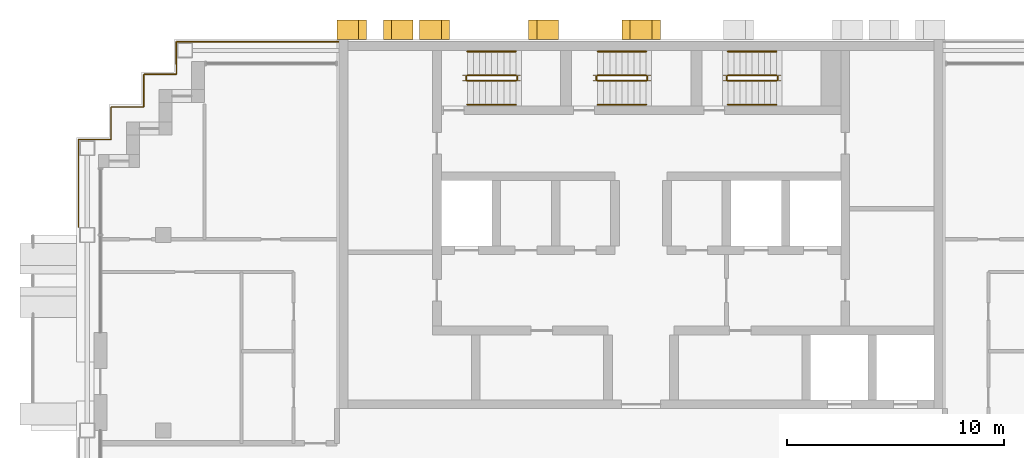
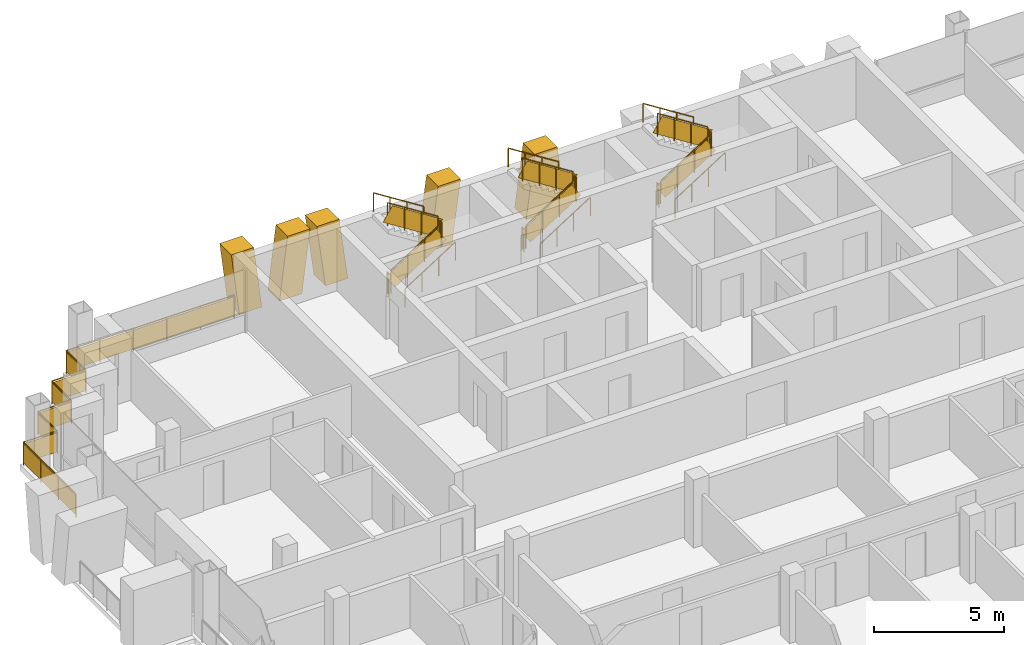
# One storey, part 15 of 16: 20 railings, 5 shading devices.
"""IFC4 building model written with IfcOpenShell, lengths in metres."""

from ifc_helpers import new_model, si_unit, direction, frame, origin, origin_2d, place, context, subcontext, project, spatial, polyline, rectangle, circle, outline, extrude, material, layer, layer_set, type_object, element, save


model = new_model("IFC4")

# Units and contexts
model_context = context("Model", 3, precision=1e-05, world=origin(), true_north=direction((0.0, 1.0)))
body_context = subcontext(model_context, "Body", "Model", "MODEL_VIEW")
ifc_project = project(units=[si_unit("LENGTHUNIT", "METRE"), si_unit("AREAUNIT", "SQUARE_METRE"), si_unit("VOLUMEUNIT", "CUBIC_METRE"), si_unit("PLANEANGLEUNIT", "RADIAN"), si_unit("MASSUNIT", "GRAM", prefix="KILO")], contexts=[model_context])

# Site, building, storey
site_placement = place(None, origin())
site = spatial("IfcSite", under=ifc_project, at=site_placement, CompositionType="ELEMENT")
building_placement = place(site_placement, origin())
building = spatial("IfcBuilding", under=site, at=building_placement, Name="Vidyagriha Tower", CompositionType="ELEMENT")
storey_placement = place(building_placement, frame((0.0, 0.0, 184.5)))
storey = spatial("IfcBuildingStorey", under=building, at=storey_placement, Name="L48", CompositionType="ELEMENT", Elevation=184.5)

# Shading devices
ifc_material_1 = material(Name="Precast concrete C40/50 with brick facing", Category="concrete")
ifc_layer_1 = layer(ifc_material_1, 1.0)
ifc_layer_set_1 = layer_set([ifc_layer_1], Name="Precast concrete C40/50 with brick facing")
shading_device_type_1 = type_object("IfcShadingDeviceType", Name="Brick-faced rear rib arm leaning 8 degrees", PredefinedType="USERDEFINED", material=ifc_layer_set_1)
shading_device_1_placement = place(storey_placement, frame((-8.814208984375, 20.449951171875, 0.0), z_axis=(0.0, 0.0, 1.0), x_axis=(-1.0, 0.0, 0.0)))
element("IfcShadingDevice", 1, at=shading_device_1_placement, inside=storey, type_object=shading_device_type_1, Name="Rear rib arm L48 R08.4a", ObjectType="BLADE FIN", PredefinedType="USERDEFINED", context=body_context, shape_type="SweptSolid", body=[
    extrude(outline(polyline([(0.0, 0.0), (1.0, 0.0), (1.3857421875, 2.919921875), (0.3857421875, 2.919921875), (0.0, 0.0)])), frame((0.0, 0.449951171875, 0.0), z_axis=(0.0, -1.0, 0.0), x_axis=(1.0, 0.0, 0.0)), (0.0, 0.0, 1.0), 0.89990234375),
])
shading_device_2_placement = place(storey_placement, frame((-3.800048828125, 20.449951171875, 0.0), z_axis=(0.0, 0.0, 1.0), x_axis=(-1.0, 0.0, 0.0)))
element("IfcShadingDevice", 2, at=shading_device_2_placement, inside=storey, type_object=shading_device_type_1, Name="Rear rib arm L48 R08.4b", ObjectType="BLADE FIN", PredefinedType="USERDEFINED", context=body_context, shape_type="SweptSolid", body=[
    extrude(outline(polyline([(0.3857421875, 0.0), (1.3857421875, 0.0), (1.0, 2.919921875), (0.0, 2.919921875), (0.3857421875, 0.0)])), frame((0.0, 0.449951171875, 0.0), z_axis=(0.0, -1.0, 0.0), x_axis=(1.0, 0.0, 0.0)), (0.0, 0.0, 1.0), 0.89990234375),
])
shading_device_3_placement = place(storey_placement, frame((-12.642822265625, 20.449951171875, 0.0), z_axis=(0.0, 0.0, 1.0), x_axis=(-1.0, 0.0, 0.0)))
element("IfcShadingDevice", 3, at=shading_device_3_placement, inside=storey, type_object=shading_device_type_1, Name="Rear rib arm L48 R08.5a", ObjectType="BLADE FIN", PredefinedType="USERDEFINED", context=body_context, shape_type="SweptSolid", body=[
    extrude(outline(polyline([(0.0, 0.0), (1.0, 0.0), (1.357177734375, 2.919921875), (0.357177734375, 2.919921875), (0.0, 0.0)])), frame((0.0, 0.449951171875, 0.0), z_axis=(0.0, -1.0, 0.0), x_axis=(1.0, 0.0, 0.0)), (0.0, 0.0, 1.0), 0.89990234375),
])
shading_device_4_placement = place(storey_placement, frame((-10.5, 20.449951171875, 0.0), z_axis=(0.0, 0.0, 1.0), x_axis=(-1.0, 0.0, 0.0)))
element("IfcShadingDevice", 4, at=shading_device_4_placement, inside=storey, type_object=shading_device_type_1, Name="Rear rib arm L48 R08.5b", ObjectType="BLADE FIN", PredefinedType="USERDEFINED", context=body_context, shape_type="SweptSolid", body=[
    extrude(outline(polyline([(0.357177734375, 0.0), (1.357177734375, 0.0), (1.0, 2.919921875), (0.0, 2.919921875), (0.357177734375, 0.0)])), frame((0.0, 0.449951171875, 0.0), z_axis=(0.0, -1.0, 0.0), x_axis=(1.0, 0.0, 0.0)), (0.0, 0.0, 1.0), 0.89990234375),
])
ifc_material_2 = material(Name="Precast concrete C40/50 with brick facing", Category="concrete")
ifc_layer_2 = layer(ifc_material_2, 1.0)
ifc_layer_set_2 = layer_set([ifc_layer_2], Name="Precast concrete C40/50 with brick facing")
shading_device_type_2 = type_object("IfcShadingDeviceType", Name="Brick-faced rear rib forking 8 degrees", PredefinedType="USERDEFINED", material=ifc_layer_set_2)
shading_device_5_placement = place(storey_placement, frame((0.8857421875, 20.449951171875, 0.0), z_axis=(0.0, 0.0, 1.0), x_axis=(-1.0, 0.0, 0.0)))
element("IfcShadingDevice", 5, at=shading_device_5_placement, inside=storey, type_object=shading_device_type_2, Name="Rear rib fork L48 R08.3a", ObjectType="BLADE FIN", PredefinedType="USERDEFINED", context=body_context, shape_type="SweptSolid", body=[
    extrude(outline(polyline([(0.0, 0.0), (1.771484375, 0.0), (1.3857421875, 2.919921875), (0.3857421875, 2.919921875), (0.0, 0.0)])), frame((0.0, 0.449951171875, 0.0), z_axis=(0.0, -1.0, 0.0), x_axis=(1.0, 0.0, 0.0)), (0.0, 0.0, 1.0), 0.89990234375),
])

# Railings
ifc_material_3 = material(Name="Steel ASTM A500 Grade C black painted", Category="steel")
railing_type_1 = type_object("IfcRailingType", Name="Gallery guard 1100", PredefinedType="GUARDRAIL", material=ifc_material_3)
railing_1_placement = place(storey_placement, frame((-25.89990234375, 11.360107421875, 0.0)))
element("IfcRailing", 6, at=railing_1_placement, inside=storey, type_object=railing_type_1, Name="Gallery guard L48 4", PredefinedType="GUARDRAIL", context=body_context, shape_type="SweptSolid", body=[
    extrude(circle(Radius=0.02490234375, at=origin_2d()), frame((0.0, 0.0, 1.0751953125), z_axis=(0.0, 1.0, 0.0), x_axis=(-1.0, 0.0, 0.0)), (0.0, 0.0, 1.0), 4.039794921875),
    extrude(circle(Radius=0.02490234375, at=origin_2d()), frame((0.0, 4.039794921875, 1.0751953125), z_axis=(1.0, 0.0, 0.0), x_axis=(0.0, 1.0, 0.0)), (0.0, 0.0, 1.0), 1.5),
    extrude(circle(Radius=0.02490234375, at=origin_2d()), frame((1.5, 4.039794921875, 1.0751953125), z_axis=(0.0, 1.0, 0.0), x_axis=(-1.0, 0.0, 0.0)), (0.0, 0.0, 1.0), 1.5),
    extrude(circle(Radius=0.02490234375, at=origin_2d()), frame((1.5, 5.539794921875, 1.0751953125), z_axis=(1.0, 0.0, 0.0), x_axis=(0.0, 1.0, 0.0)), (0.0, 0.0, 1.0), 1.5),
    extrude(circle(Radius=0.02490234375, at=origin_2d()), frame((3.0, 5.539794921875, 1.0751953125), z_axis=(0.0, 1.0, 0.0), x_axis=(-1.0, 0.0, 0.0)), (0.0, 0.0, 1.0), 1.5),
    extrude(circle(Radius=0.02490234375, at=origin_2d()), frame((3.0, 7.039794921875, 1.0751953125), z_axis=(1.0, 0.0, 0.0), x_axis=(0.0, 1.0, 0.0)), (0.0, 0.0, 1.0), 1.5),
    extrude(circle(Radius=0.02490234375, at=origin_2d()), frame((4.5, 7.039794921875, 1.0751953125), z_axis=(0.0, 1.0, 0.0), x_axis=(-1.0, 0.0, 0.0)), (0.0, 0.0, 1.0), 0.460205078125),
    extrude(circle(Radius=0.02001953125, at=origin_2d()), origin(), (0.0, 0.0, 1.0), 1.050048828125),
    extrude(circle(Radius=0.02001953125, at=origin_2d()), frame((0.0, 1.3466796875, 0.0)), (0.0, 0.0, 1.0), 1.050048828125),
    extrude(circle(Radius=0.02001953125, at=origin_2d()), frame((0.0, 2.693115234375, 0.0)), (0.0, 0.0, 1.0), 1.050048828125),
    extrude(circle(Radius=0.02001953125, at=origin_2d()), frame((0.0, 4.039794921875, 0.0)), (0.0, 0.0, 1.0), 1.050048828125),
    extrude(circle(Radius=0.02001953125, at=origin_2d()), frame((1.5, 4.039794921875, 0.0)), (0.0, 0.0, 1.0), 1.050048828125),
    extrude(circle(Radius=0.02001953125, at=origin_2d()), frame((1.5, 5.539794921875, 0.0)), (0.0, 0.0, 1.0), 1.050048828125),
    extrude(circle(Radius=0.02001953125, at=origin_2d()), frame((3.0, 5.539794921875, 0.0)), (0.0, 0.0, 1.0), 1.050048828125),
    extrude(circle(Radius=0.02001953125, at=origin_2d()), frame((3.0, 7.039794921875, 0.0)), (0.0, 0.0, 1.0), 1.050048828125),
    extrude(circle(Radius=0.02001953125, at=origin_2d()), frame((4.5, 7.039794921875, 0.0)), (0.0, 0.0, 1.0), 1.050048828125),
    extrude(circle(Radius=0.02001953125, at=origin_2d()), frame((4.5, 7.5, 0.0)), (0.0, 0.0, 1.0), 1.050048828125),
    extrude(rectangle(XDim=0.010009765625, YDim=0.900146484375, at=origin_2d()), frame((0.0, 0.0, 0.550048828125), z_axis=(0.0, 1.0, 0.0), x_axis=(-1.0, 0.0, 0.0)), (0.0, 0.0, 1.0), 4.039794921875),
    extrude(rectangle(XDim=0.010009765625, YDim=0.900146484375, at=origin_2d()), frame((0.0, 4.039794921875, 0.550048828125), z_axis=(1.0, 0.0, 0.0), x_axis=(0.0, 1.0, 0.0)), (0.0, 0.0, 1.0), 1.5),
    extrude(rectangle(XDim=0.010009765625, YDim=0.900146484375, at=origin_2d()), frame((1.5, 4.039794921875, 0.550048828125), z_axis=(0.0, 1.0, 0.0), x_axis=(-1.0, 0.0, 0.0)), (0.0, 0.0, 1.0), 1.5),
    extrude(rectangle(XDim=0.010009765625, YDim=0.900146484375, at=origin_2d()), frame((1.5, 5.539794921875, 0.550048828125), z_axis=(1.0, 0.0, 0.0), x_axis=(0.0, 1.0, 0.0)), (0.0, 0.0, 1.0), 1.5),
    extrude(rectangle(XDim=0.010009765625, YDim=0.900146484375, at=origin_2d()), frame((3.0, 5.539794921875, 0.550048828125), z_axis=(0.0, 1.0, 0.0), x_axis=(-1.0, 0.0, 0.0)), (0.0, 0.0, 1.0), 1.5),
    extrude(rectangle(XDim=0.010009765625, YDim=0.900146484375, at=origin_2d()), frame((3.0, 7.039794921875, 0.550048828125), z_axis=(1.0, 0.0, 0.0), x_axis=(0.0, 1.0, 0.0)), (0.0, 0.0, 1.0), 1.5),
    extrude(rectangle(XDim=0.010009765625, YDim=0.900146484375, at=origin_2d()), frame((4.5, 7.039794921875, 0.550048828125), z_axis=(0.0, 1.0, 0.0), x_axis=(-1.0, 0.0, 0.0)), (0.0, 0.0, 1.0), 0.460205078125),
])
railing_2_placement = place(storey_placement, frame((-21.39990234375, 18.860107421875, 0.0)))
element("IfcRailing", 7, at=railing_2_placement, inside=storey, type_object=railing_type_1, Name="Gallery guard L48 5", PredefinedType="GUARDRAIL", context=body_context, shape_type="SweptSolid", body=[
    extrude(circle(Radius=0.02490234375, at=origin_2d()), frame((0.0, 0.0, 1.0751953125), z_axis=(0.0, 1.0, 0.0), x_axis=(-1.0, 0.0, 0.0)), (0.0, 0.0, 1.0), 1.039794921875),
    extrude(circle(Radius=0.02490234375, at=origin_2d()), frame((0.0, 1.039794921875, 1.0751953125), z_axis=(1.0, 0.0, 0.0), x_axis=(0.0, 1.0, 0.0)), (0.0, 0.0, 1.0), 7.469970703125),
    extrude(circle(Radius=0.02001953125, at=origin_2d()), origin(), (0.0, 0.0, 1.0), 1.050048828125),
    extrude(circle(Radius=0.02001953125, at=origin_2d()), frame((0.0, 1.039794921875, 0.0)), (0.0, 0.0, 1.0), 1.050048828125),
    extrude(circle(Radius=0.02001953125, at=origin_2d()), frame((1.493896484375, 1.039794921875, 0.0)), (0.0, 0.0, 1.0), 1.050048828125),
    extrude(circle(Radius=0.02001953125, at=origin_2d()), frame((2.988037109375, 1.039794921875, 0.0)), (0.0, 0.0, 1.0), 1.050048828125),
    extrude(circle(Radius=0.02001953125, at=origin_2d()), frame((4.48193359375, 1.039794921875, 0.0)), (0.0, 0.0, 1.0), 1.050048828125),
    extrude(circle(Radius=0.02001953125, at=origin_2d()), frame((5.97607421875, 1.039794921875, 0.0)), (0.0, 0.0, 1.0), 1.050048828125),
    extrude(circle(Radius=0.02001953125, at=origin_2d()), frame((7.469970703125, 1.039794921875, 0.0)), (0.0, 0.0, 1.0), 1.050048828125),
    extrude(rectangle(XDim=0.010009765625, YDim=0.900146484375, at=origin_2d()), frame((0.0, 0.0, 0.550048828125), z_axis=(0.0, 1.0, 0.0), x_axis=(-1.0, 0.0, 0.0)), (0.0, 0.0, 1.0), 1.039794921875),
    extrude(rectangle(XDim=0.010009765625, YDim=0.900146484375, at=origin_2d()), frame((0.0, 1.039794921875, 0.550048828125), z_axis=(1.0, 0.0, 0.0), x_axis=(0.0, 1.0, 0.0)), (0.0, 0.0, 1.0), 7.469970703125),
])
ifc_material_4 = material(Name="Steel ASTM A500 Grade C", Category="steel")
railing_type_2 = type_object("IfcRailingType", Name="Stair guard 1100 mm, steel balustrade", PredefinedType="GUARDRAIL", material=ifc_material_4)
railing_3_placement = place(storey_placement, frame((-8.0, 18.10009765625, 0.177734375)))
element("IfcRailing", 8, at=railing_3_placement, inside=storey, type_object=railing_type_2, Name="L48 ST1 stair guard 1", PredefinedType="GUARDRAIL", context=body_context, shape_type="SweptSolid", body=[
    extrude(circle(Radius=0.02392578125, at=origin_2d()), frame((0.0, 0.0, 1.076171875), z_axis=(0.84418770128, 0.0, 0.536047689118), x_axis=(0.0, 1.0, 0.0)), (0.0, 0.0, 1.0), 2.6533203125),
    extrude(circle(Radius=0.02099609375, at=origin_2d()), origin(), (0.0, 0.0, 1.0), 1.052001953125),
    extrude(circle(Radius=0.02099609375, at=origin_2d()), frame((0.74658203125, 0.0, 0.47412109375)), (0.0, 0.0, 1.0), 1.052001953125),
    extrude(circle(Radius=0.02099609375, at=origin_2d()), frame((1.493408203125, 0.0, 0.9482421875)), (0.0, 0.0, 1.0), 1.052001953125),
    extrude(circle(Radius=0.02099609375, at=origin_2d()), frame((2.239990234375, 0.0, 1.42236328125)), (0.0, 0.0, 1.0), 1.052001953125),
    extrude(rectangle(XDim=0.010009765625, YDim=0.761474609375, at=origin_2d()), frame((0.0, 0.0, 0.551025390625), z_axis=(0.84418770128, 0.0, 0.536047689118), x_axis=(0.0, 1.0, 0.0)), (0.0, 0.0, 1.0), 2.6533203125),
])
railing_4_placement = place(storey_placement, frame((-5.7099609375, 18.14990234375, 1.60009765625)))
element("IfcRailing", 9, at=railing_4_placement, inside=storey, type_object=railing_type_2, Name="L48 ST1 stair guard 2", PredefinedType="GUARDRAIL", context=body_context, shape_type="SweptSolid", body=[
    extrude(circle(Radius=0.02392578125, at=origin_2d()), frame((0.0, 0.0, 1.076171875), z_axis=(0.0, 1.0, 0.0), x_axis=(-1.0, 0.0, 0.0)), (0.0, 0.0, 1.0), 0.150146484375),
    extrude(circle(Radius=0.02099609375, at=origin_2d()), origin(), (0.0, 0.0, 1.0), 1.052001953125),
    extrude(circle(Radius=0.02099609375, at=origin_2d()), frame((0.0, 0.150146484375, 0.0)), (0.0, 0.0, 1.0), 1.052001953125),
    extrude(rectangle(XDim=0.010009765625, YDim=0.902099609375, at=origin_2d()), frame((0.0, 0.0, 0.551025390625), z_axis=(0.0, 1.0, 0.0), x_axis=(-1.0, 0.0, 0.0)), (0.0, 0.0, 1.0), 0.150146484375),
])
railing_5_placement = place(storey_placement, frame((-5.760009765625, 18.35009765625, 1.77783203125)))
element("IfcRailing", 10, at=railing_5_placement, inside=storey, type_object=railing_type_2, Name="L48 ST1 stair guard 3", PredefinedType="GUARDRAIL", context=body_context, shape_type="SweptSolid", body=[
    extrude(circle(Radius=0.02392578125, at=origin_2d()), frame((0.0, 0.0, 1.076171875), z_axis=(-0.8442293374, 0.0, 0.53598211339), x_axis=(0.0, -1.0, 0.0)), (0.0, 0.0, 1.0), 2.6533203125),
    extrude(circle(Radius=0.02099609375, at=origin_2d()), origin(), (0.0, 0.0, 1.0), 1.052001953125),
    extrude(circle(Radius=0.02099609375, at=origin_2d()), frame((-0.74658203125, 0.0, 0.47412109375)), (0.0, 0.0, 1.0), 1.052001953125),
    extrude(circle(Radius=0.02099609375, at=origin_2d()), frame((-1.493408203125, 0.0, 0.947998046875)), (0.0, 0.0, 1.0), 1.052001953125),
    extrude(circle(Radius=0.02099609375, at=origin_2d()), frame((-2.239990234375, 0.0, 1.422119140625)), (0.0, 0.0, 1.0), 1.052001953125),
    extrude(rectangle(XDim=0.010009765625, YDim=0.761474609375, at=origin_2d()), frame((0.0, 0.0, 0.551025390625), z_axis=(-0.8442293374, 0.0, 0.53598211339), x_axis=(0.0, -1.0, 0.0)), (0.0, 0.0, 1.0), 2.6533203125),
])
railing_6_placement = place(storey_placement, frame((-8.050048828125, 18.14990234375, 0.0)))
element("IfcRailing", 11, at=railing_6_placement, inside=storey, type_object=railing_type_2, Name="L48 ST1 stair guard 4", PredefinedType="GUARDRAIL", context=body_context, shape_type="SweptSolid", body=[
    extrude(circle(Radius=0.02392578125, at=origin_2d()), frame((0.0, 0.0, 1.076171875), z_axis=(0.0, 1.0, 0.0), x_axis=(-1.0, 0.0, 0.0)), (0.0, 0.0, 1.0), 0.150146484375),
    extrude(circle(Radius=0.02099609375, at=origin_2d()), origin(), (0.0, 0.0, 1.0), 1.052001953125),
    extrude(circle(Radius=0.02099609375, at=origin_2d()), frame((0.0, 0.150146484375, 0.0)), (0.0, 0.0, 1.0), 1.052001953125),
    extrude(rectangle(XDim=0.010009765625, YDim=0.902099609375, at=origin_2d()), frame((0.0, 0.0, 0.551025390625), z_axis=(0.0, 1.0, 0.0), x_axis=(-1.0, 0.0, 0.0)), (0.0, 0.0, 1.0), 0.150146484375),
])
railing_7_placement = place(storey_placement, frame((-2.0, 18.10009765625, 0.177734375)))
element("IfcRailing", 12, at=railing_7_placement, inside=storey, type_object=railing_type_2, Name="L48 ST2 stair guard 1", PredefinedType="GUARDRAIL", context=body_context, shape_type="SweptSolid", body=[
    extrude(circle(Radius=0.02392578125, at=origin_2d()), frame((0.0, 0.0, 1.076171875), z_axis=(0.84418770128, 0.0, 0.536047689118), x_axis=(0.0, 1.0, 0.0)), (0.0, 0.0, 1.0), 2.6533203125),
    extrude(circle(Radius=0.02099609375, at=origin_2d()), origin(), (0.0, 0.0, 1.0), 1.052001953125),
    extrude(circle(Radius=0.02099609375, at=origin_2d()), frame((0.74658203125, 0.0, 0.47412109375)), (0.0, 0.0, 1.0), 1.052001953125),
    extrude(circle(Radius=0.02099609375, at=origin_2d()), frame((1.493408203125, 0.0, 0.9482421875)), (0.0, 0.0, 1.0), 1.052001953125),
    extrude(circle(Radius=0.02099609375, at=origin_2d()), frame((2.239990234375, 0.0, 1.42236328125)), (0.0, 0.0, 1.0), 1.052001953125),
    extrude(rectangle(XDim=0.010009765625, YDim=0.761474609375, at=origin_2d()), frame((0.0, 0.0, 0.551025390625), z_axis=(0.84418770128, 0.0, 0.536047689118), x_axis=(0.0, 1.0, 0.0)), (0.0, 0.0, 1.0), 2.6533203125),
])
railing_8_placement = place(storey_placement, frame((0.2900390625, 18.14990234375, 1.60009765625)))
element("IfcRailing", 13, at=railing_8_placement, inside=storey, type_object=railing_type_2, Name="L48 ST2 stair guard 2", PredefinedType="GUARDRAIL", context=body_context, shape_type="SweptSolid", body=[
    extrude(circle(Radius=0.02392578125, at=origin_2d()), frame((0.0, 0.0, 1.076171875), z_axis=(0.0, 1.0, 0.0), x_axis=(-1.0, 0.0, 0.0)), (0.0, 0.0, 1.0), 0.150146484375),
    extrude(circle(Radius=0.02099609375, at=origin_2d()), origin(), (0.0, 0.0, 1.0), 1.052001953125),
    extrude(circle(Radius=0.02099609375, at=origin_2d()), frame((0.0, 0.150146484375, 0.0)), (0.0, 0.0, 1.0), 1.052001953125),
    extrude(rectangle(XDim=0.010009765625, YDim=0.902099609375, at=origin_2d()), frame((0.0, 0.0, 0.551025390625), z_axis=(0.0, 1.0, 0.0), x_axis=(-1.0, 0.0, 0.0)), (0.0, 0.0, 1.0), 0.150146484375),
])
railing_9_placement = place(storey_placement, frame((0.239990234375, 18.35009765625, 1.77783203125)))
element("IfcRailing", 14, at=railing_9_placement, inside=storey, type_object=railing_type_2, Name="L48 ST2 stair guard 3", PredefinedType="GUARDRAIL", context=body_context, shape_type="SweptSolid", body=[
    extrude(circle(Radius=0.02392578125, at=origin_2d()), frame((0.0, 0.0, 1.076171875), z_axis=(-0.8442293374, 0.0, 0.53598211339), x_axis=(0.0, -1.0, 0.0)), (0.0, 0.0, 1.0), 2.6533203125),
    extrude(circle(Radius=0.02099609375, at=origin_2d()), origin(), (0.0, 0.0, 1.0), 1.052001953125),
    extrude(circle(Radius=0.02099609375, at=origin_2d()), frame((-0.74658203125, 0.0, 0.47412109375)), (0.0, 0.0, 1.0), 1.052001953125),
    extrude(circle(Radius=0.02099609375, at=origin_2d()), frame((-1.493408203125, 0.0, 0.947998046875)), (0.0, 0.0, 1.0), 1.052001953125),
    extrude(circle(Radius=0.02099609375, at=origin_2d()), frame((-2.239990234375, 0.0, 1.422119140625)), (0.0, 0.0, 1.0), 1.052001953125),
    extrude(rectangle(XDim=0.010009765625, YDim=0.761474609375, at=origin_2d()), frame((0.0, 0.0, 0.551025390625), z_axis=(-0.8442293374, 0.0, 0.53598211339), x_axis=(0.0, -1.0, 0.0)), (0.0, 0.0, 1.0), 2.6533203125),
])
railing_10_placement = place(storey_placement, frame((-2.050048828125, 18.14990234375, 0.0)))
element("IfcRailing", 15, at=railing_10_placement, inside=storey, type_object=railing_type_2, Name="L48 ST2 stair guard 4", PredefinedType="GUARDRAIL", context=body_context, shape_type="SweptSolid", body=[
    extrude(circle(Radius=0.02392578125, at=origin_2d()), frame((0.0, 0.0, 1.076171875), z_axis=(0.0, 1.0, 0.0), x_axis=(-1.0, 0.0, 0.0)), (0.0, 0.0, 1.0), 0.150146484375),
    extrude(circle(Radius=0.02099609375, at=origin_2d()), origin(), (0.0, 0.0, 1.0), 1.052001953125),
    extrude(circle(Radius=0.02099609375, at=origin_2d()), frame((0.0, 0.150146484375, 0.0)), (0.0, 0.0, 1.0), 1.052001953125),
    extrude(rectangle(XDim=0.010009765625, YDim=0.902099609375, at=origin_2d()), frame((0.0, 0.0, 0.551025390625), z_axis=(0.0, 1.0, 0.0), x_axis=(-1.0, 0.0, 0.0)), (0.0, 0.0, 1.0), 0.150146484375),
])
railing_11_placement = place(storey_placement, frame((4.0, 18.10009765625, 0.177734375)))
element("IfcRailing", 16, at=railing_11_placement, inside=storey, type_object=railing_type_2, Name="L48 ST3 stair guard 1", PredefinedType="GUARDRAIL", context=body_context, shape_type="SweptSolid", body=[
    extrude(circle(Radius=0.02392578125, at=origin_2d()), frame((0.0, 0.0, 1.076171875), z_axis=(0.84418770128, 0.0, 0.536047689118), x_axis=(0.0, 1.0, 0.0)), (0.0, 0.0, 1.0), 2.6533203125),
    extrude(circle(Radius=0.02099609375, at=origin_2d()), origin(), (0.0, 0.0, 1.0), 1.052001953125),
    extrude(circle(Radius=0.02099609375, at=origin_2d()), frame((0.74658203125, 0.0, 0.47412109375)), (0.0, 0.0, 1.0), 1.052001953125),
    extrude(circle(Radius=0.02099609375, at=origin_2d()), frame((1.493408203125, 0.0, 0.9482421875)), (0.0, 0.0, 1.0), 1.052001953125),
    extrude(circle(Radius=0.02099609375, at=origin_2d()), frame((2.239990234375, 0.0, 1.42236328125)), (0.0, 0.0, 1.0), 1.052001953125),
    extrude(rectangle(XDim=0.010009765625, YDim=0.761474609375, at=origin_2d()), frame((0.0, 0.0, 0.551025390625), z_axis=(0.84418770128, 0.0, 0.536047689118), x_axis=(0.0, 1.0, 0.0)), (0.0, 0.0, 1.0), 2.6533203125),
])
railing_12_placement = place(storey_placement, frame((6.2900390625, 18.14990234375, 1.60009765625)))
element("IfcRailing", 17, at=railing_12_placement, inside=storey, type_object=railing_type_2, Name="L48 ST3 stair guard 2", PredefinedType="GUARDRAIL", context=body_context, shape_type="SweptSolid", body=[
    extrude(circle(Radius=0.02392578125, at=origin_2d()), frame((0.0, 0.0, 1.076171875), z_axis=(0.0, 1.0, 0.0), x_axis=(-1.0, 0.0, 0.0)), (0.0, 0.0, 1.0), 0.150146484375),
    extrude(circle(Radius=0.02099609375, at=origin_2d()), origin(), (0.0, 0.0, 1.0), 1.052001953125),
    extrude(circle(Radius=0.02099609375, at=origin_2d()), frame((0.0, 0.150146484375, 0.0)), (0.0, 0.0, 1.0), 1.052001953125),
    extrude(rectangle(XDim=0.010009765625, YDim=0.902099609375, at=origin_2d()), frame((0.0, 0.0, 0.551025390625), z_axis=(0.0, 1.0, 0.0), x_axis=(-1.0, 0.0, 0.0)), (0.0, 0.0, 1.0), 0.150146484375),
])
railing_13_placement = place(storey_placement, frame((6.239990234375, 18.35009765625, 1.77783203125)))
element("IfcRailing", 18, at=railing_13_placement, inside=storey, type_object=railing_type_2, Name="L48 ST3 stair guard 3", PredefinedType="GUARDRAIL", context=body_context, shape_type="SweptSolid", body=[
    extrude(circle(Radius=0.02392578125, at=origin_2d()), frame((0.0, 0.0, 1.076171875), z_axis=(-0.8442293374, 0.0, 0.53598211339), x_axis=(0.0, -1.0, 0.0)), (0.0, 0.0, 1.0), 2.6533203125),
    extrude(circle(Radius=0.02099609375, at=origin_2d()), origin(), (0.0, 0.0, 1.0), 1.052001953125),
    extrude(circle(Radius=0.02099609375, at=origin_2d()), frame((-0.74658203125, 0.0, 0.47412109375)), (0.0, 0.0, 1.0), 1.052001953125),
    extrude(circle(Radius=0.02099609375, at=origin_2d()), frame((-1.493408203125, 0.0, 0.947998046875)), (0.0, 0.0, 1.0), 1.052001953125),
    extrude(circle(Radius=0.02099609375, at=origin_2d()), frame((-2.239990234375, 0.0, 1.422119140625)), (0.0, 0.0, 1.0), 1.052001953125),
    extrude(rectangle(XDim=0.010009765625, YDim=0.761474609375, at=origin_2d()), frame((0.0, 0.0, 0.551025390625), z_axis=(-0.8442293374, 0.0, 0.53598211339), x_axis=(0.0, -1.0, 0.0)), (0.0, 0.0, 1.0), 2.6533203125),
])
railing_14_placement = place(storey_placement, frame((3.949951171875, 18.14990234375, 0.0)))
element("IfcRailing", 19, at=railing_14_placement, inside=storey, type_object=railing_type_2, Name="L48 ST3 stair guard 4", PredefinedType="GUARDRAIL", context=body_context, shape_type="SweptSolid", body=[
    extrude(circle(Radius=0.02392578125, at=origin_2d()), frame((0.0, 0.0, 1.076171875), z_axis=(0.0, 1.0, 0.0), x_axis=(-1.0, 0.0, 0.0)), (0.0, 0.0, 1.0), 0.150146484375),
    extrude(circle(Radius=0.02099609375, at=origin_2d()), origin(), (0.0, 0.0, 1.0), 1.052001953125),
    extrude(circle(Radius=0.02099609375, at=origin_2d()), frame((0.0, 0.150146484375, 0.0)), (0.0, 0.0, 1.0), 1.052001953125),
    extrude(rectangle(XDim=0.010009765625, YDim=0.902099609375, at=origin_2d()), frame((0.0, 0.0, 0.551025390625), z_axis=(0.0, 1.0, 0.0), x_axis=(-1.0, 0.0, 0.0)), (0.0, 0.0, 1.0), 0.150146484375),
])
ifc_material_5 = material(Name="Steel ASTM A500 Grade C", Category="steel")
railing_type_3 = type_object("IfcRailingType", Name="Stair handrail 900 mm, steel", PredefinedType="HANDRAIL", material=ifc_material_5)
railing_15_placement = place(storey_placement, frame((-8.0, 17.0, 0.177734375)))
element("IfcRailing", 20, at=railing_15_placement, inside=storey, type_object=railing_type_3, Name="L48 ST1 stair handrail 1", PredefinedType="HANDRAIL", context=body_context, shape_type="SweptSolid", body=[
    extrude(circle(Radius=0.02392578125, at=origin_2d()), frame((0.0, 0.0, 0.8759765625), z_axis=(0.84418770128, 0.0, 0.536047689118), x_axis=(0.0, 1.0, 0.0)), (0.0, 0.0, 1.0), 2.6533203125),
    extrude(circle(Radius=0.02099609375, at=origin_2d()), origin(), (0.0, 0.0, 1.0), 0.851806640625),
    extrude(circle(Radius=0.02099609375, at=origin_2d()), frame((0.74658203125, 0.0, 0.47412109375)), (0.0, 0.0, 1.0), 0.851806640625),
    extrude(circle(Radius=0.02099609375, at=origin_2d()), frame((1.493408203125, 0.0, 0.9482421875)), (0.0, 0.0, 1.0), 0.851806640625),
    extrude(circle(Radius=0.02099609375, at=origin_2d()), frame((2.239990234375, 0.0, 1.42236328125)), (0.0, 0.0, 1.0), 0.851806640625),
])
railing_16_placement = place(storey_placement, frame((-5.760009765625, 19.449951171875, 1.77783203125)))
element("IfcRailing", 21, at=railing_16_placement, inside=storey, type_object=railing_type_3, Name="L48 ST1 stair handrail 2", PredefinedType="HANDRAIL", context=body_context, shape_type="SweptSolid", body=[
    extrude(circle(Radius=0.02392578125, at=origin_2d()), frame((0.0, 0.0, 0.8759765625), z_axis=(-0.8442293374, 0.0, 0.53598211339), x_axis=(0.0, -1.0, 0.0)), (0.0, 0.0, 1.0), 2.6533203125),
    extrude(circle(Radius=0.02099609375, at=origin_2d()), origin(), (0.0, 0.0, 1.0), 0.851806640625),
    extrude(circle(Radius=0.02099609375, at=origin_2d()), frame((-0.74658203125, 0.0, 0.47412109375)), (0.0, 0.0, 1.0), 0.851806640625),
    extrude(circle(Radius=0.02099609375, at=origin_2d()), frame((-1.493408203125, 0.0, 0.947998046875)), (0.0, 0.0, 1.0), 0.851806640625),
    extrude(circle(Radius=0.02099609375, at=origin_2d()), frame((-2.239990234375, 0.0, 1.422119140625)), (0.0, 0.0, 1.0), 0.851806640625),
])
railing_17_placement = place(storey_placement, frame((-2.0, 17.0, 0.177734375)))
element("IfcRailing", 22, at=railing_17_placement, inside=storey, type_object=railing_type_3, Name="L48 ST2 stair handrail 1", PredefinedType="HANDRAIL", context=body_context, shape_type="SweptSolid", body=[
    extrude(circle(Radius=0.02392578125, at=origin_2d()), frame((0.0, 0.0, 0.8759765625), z_axis=(0.84418770128, 0.0, 0.536047689118), x_axis=(0.0, 1.0, 0.0)), (0.0, 0.0, 1.0), 2.6533203125),
    extrude(circle(Radius=0.02099609375, at=origin_2d()), origin(), (0.0, 0.0, 1.0), 0.851806640625),
    extrude(circle(Radius=0.02099609375, at=origin_2d()), frame((0.74658203125, 0.0, 0.47412109375)), (0.0, 0.0, 1.0), 0.851806640625),
    extrude(circle(Radius=0.02099609375, at=origin_2d()), frame((1.493408203125, 0.0, 0.9482421875)), (0.0, 0.0, 1.0), 0.851806640625),
    extrude(circle(Radius=0.02099609375, at=origin_2d()), frame((2.239990234375, 0.0, 1.42236328125)), (0.0, 0.0, 1.0), 0.851806640625),
])
railing_18_placement = place(storey_placement, frame((0.239990234375, 19.449951171875, 1.77783203125)))
element("IfcRailing", 23, at=railing_18_placement, inside=storey, type_object=railing_type_3, Name="L48 ST2 stair handrail 2", PredefinedType="HANDRAIL", context=body_context, shape_type="SweptSolid", body=[
    extrude(circle(Radius=0.02392578125, at=origin_2d()), frame((0.0, 0.0, 0.8759765625), z_axis=(-0.8442293374, 0.0, 0.53598211339), x_axis=(0.0, -1.0, 0.0)), (0.0, 0.0, 1.0), 2.6533203125),
    extrude(circle(Radius=0.02099609375, at=origin_2d()), origin(), (0.0, 0.0, 1.0), 0.851806640625),
    extrude(circle(Radius=0.02099609375, at=origin_2d()), frame((-0.74658203125, 0.0, 0.47412109375)), (0.0, 0.0, 1.0), 0.851806640625),
    extrude(circle(Radius=0.02099609375, at=origin_2d()), frame((-1.493408203125, 0.0, 0.947998046875)), (0.0, 0.0, 1.0), 0.851806640625),
    extrude(circle(Radius=0.02099609375, at=origin_2d()), frame((-2.239990234375, 0.0, 1.422119140625)), (0.0, 0.0, 1.0), 0.851806640625),
])
railing_19_placement = place(storey_placement, frame((4.0, 17.0, 0.177734375)))
element("IfcRailing", 24, at=railing_19_placement, inside=storey, type_object=railing_type_3, Name="L48 ST3 stair handrail 1", PredefinedType="HANDRAIL", context=body_context, shape_type="SweptSolid", body=[
    extrude(circle(Radius=0.02392578125, at=origin_2d()), frame((0.0, 0.0, 0.8759765625), z_axis=(0.84418770128, 0.0, 0.536047689118), x_axis=(0.0, 1.0, 0.0)), (0.0, 0.0, 1.0), 2.6533203125),
    extrude(circle(Radius=0.02099609375, at=origin_2d()), origin(), (0.0, 0.0, 1.0), 0.851806640625),
    extrude(circle(Radius=0.02099609375, at=origin_2d()), frame((0.74658203125, 0.0, 0.47412109375)), (0.0, 0.0, 1.0), 0.851806640625),
    extrude(circle(Radius=0.02099609375, at=origin_2d()), frame((1.493408203125, 0.0, 0.9482421875)), (0.0, 0.0, 1.0), 0.851806640625),
    extrude(circle(Radius=0.02099609375, at=origin_2d()), frame((2.239990234375, 0.0, 1.42236328125)), (0.0, 0.0, 1.0), 0.851806640625),
])
railing_20_placement = place(storey_placement, frame((6.239990234375, 19.449951171875, 1.77783203125)))
element("IfcRailing", 25, at=railing_20_placement, inside=storey, type_object=railing_type_3, Name="L48 ST3 stair handrail 2", PredefinedType="HANDRAIL", context=body_context, shape_type="SweptSolid", body=[
    extrude(circle(Radius=0.02392578125, at=origin_2d()), frame((0.0, 0.0, 0.8759765625), z_axis=(-0.8442293374, 0.0, 0.53598211339), x_axis=(0.0, -1.0, 0.0)), (0.0, 0.0, 1.0), 2.6533203125),
    extrude(circle(Radius=0.02099609375, at=origin_2d()), origin(), (0.0, 0.0, 1.0), 0.851806640625),
    extrude(circle(Radius=0.02099609375, at=origin_2d()), frame((-0.74658203125, 0.0, 0.47412109375)), (0.0, 0.0, 1.0), 0.851806640625),
    extrude(circle(Radius=0.02099609375, at=origin_2d()), frame((-1.493408203125, 0.0, 0.947998046875)), (0.0, 0.0, 1.0), 0.851806640625),
    extrude(circle(Radius=0.02099609375, at=origin_2d()), frame((-2.239990234375, 0.0, 1.422119140625)), (0.0, 0.0, 1.0), 0.851806640625),
])

save(model, "model.ifc")
